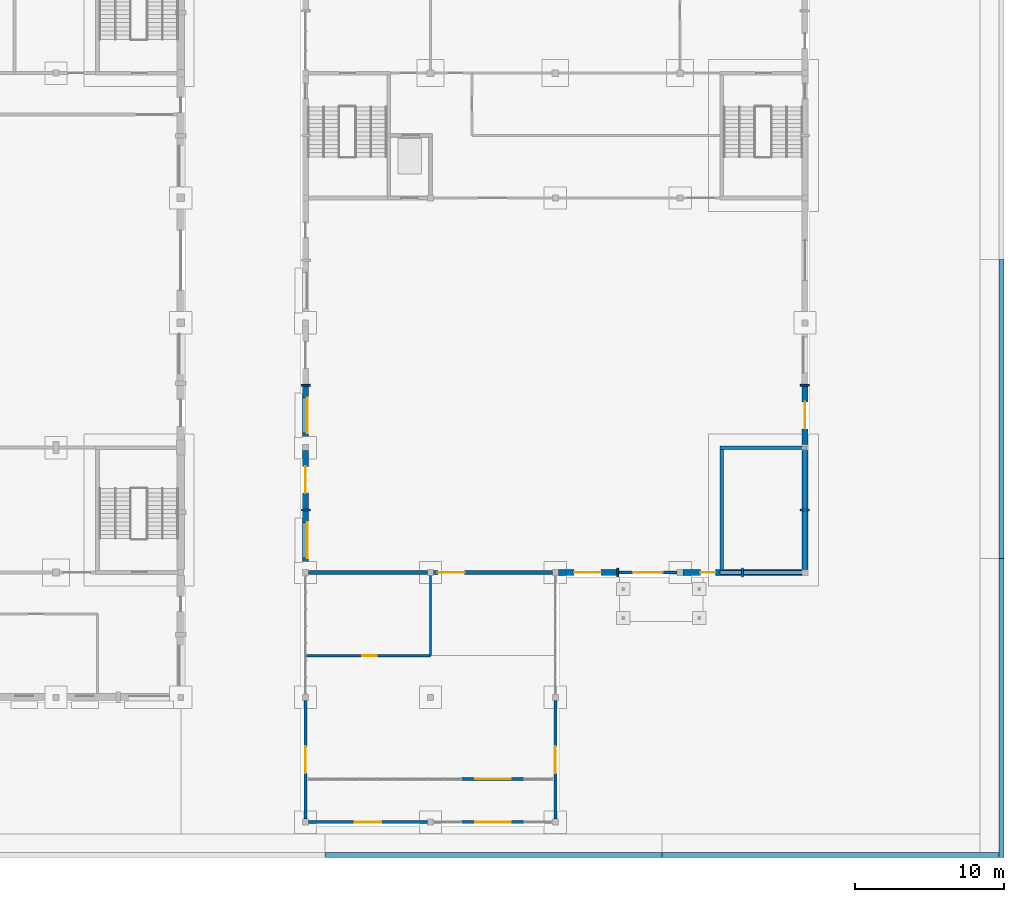
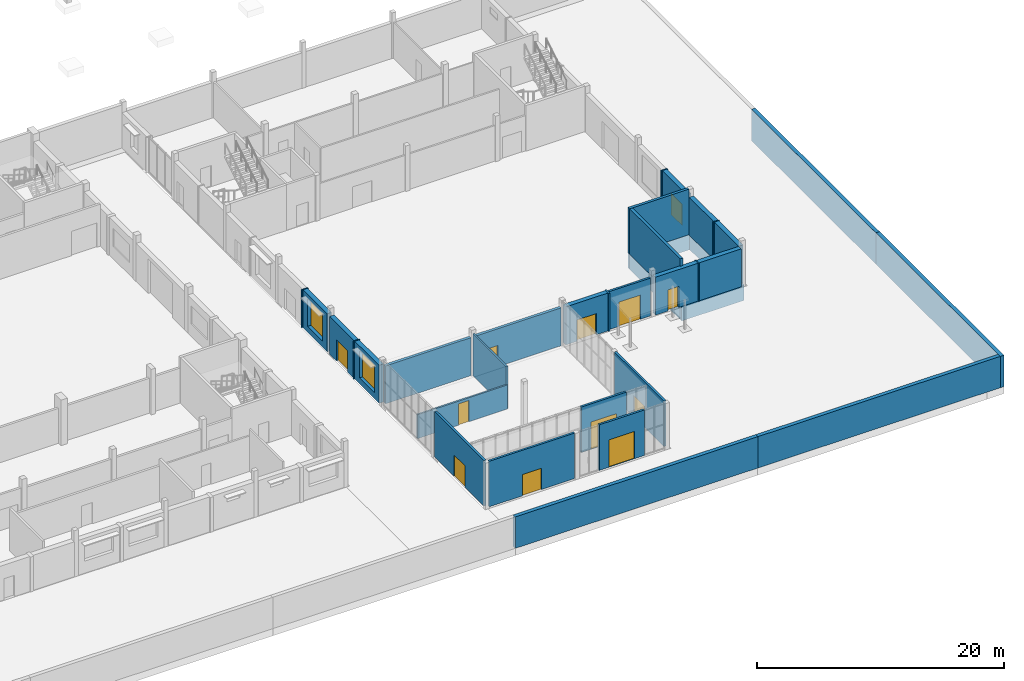
# One storey, part 25 of 36: 35 walls, 12 doors, 2 windows, 14 openings.
"""IFC4 building model written with IfcOpenShell, lengths in metres."""

from ifc_helpers import new_model, si_unit, direction, frame, frame_2d, origin, place, context, subcontext, project, spatial, rectangle, extrude, material, layer, layer_set, type_object, element, fill, save


model = new_model("IFC4")

# Units and contexts
model_context = context("Model", 3, precision=1e-05, world=origin(), true_north=direction((0.0, 1.0)))
body_context = subcontext(model_context, "Body", "Model", "MODEL_VIEW")
ifc_project = project(units=[si_unit("LENGTHUNIT", "METRE"), si_unit("AREAUNIT", "SQUARE_METRE"), si_unit("VOLUMEUNIT", "CUBIC_METRE"), si_unit("PLANEANGLEUNIT", "RADIAN"), si_unit("MASSUNIT", "GRAM", prefix="KILO")], contexts=[model_context])

# Site, building, storey
site_placement = place(None, origin())
site = spatial("IfcSite", under=ifc_project, at=site_placement, CompositionType="ELEMENT")
building_placement = place(site_placement, origin())
building = spatial("IfcBuilding", under=site, at=building_placement, Name="Fescue Hill Polytechnic", CompositionType="ELEMENT")
storey_placement = place(building_placement, origin())
storey = spatial("IfcBuildingStorey", under=building, at=storey_placement, Name="L00", CompositionType="ELEMENT", Elevation=0.0)

# Walls
ifc_material_1 = material(Name="Concrete 40 MPa", Category="concrete")
ifc_layer_1 = layer(ifc_material_1, 0.25)
ifc_layer_set_1 = layer_set([ifc_layer_1], Name="Concrete 40 MPa")
wall_type_1 = type_object("IfcWallType", Name="Core wall 250", PredefinedType="SHEAR", material=ifc_layer_set_1)
wall_1_placement = place(storey_placement, frame((153.875, 16.800048828125, 0.0), z_axis=(0.0, 0.0, 1.0), x_axis=(1.0, 0.0, 0.0)))
element("IfcWall", 1, at=wall_1_placement, inside=storey, type_object=wall_type_1, Name="CW-L00-ST-V3-3-21", PredefinedType="SHEAR", context=body_context, shape_type="SweptSolid", body=[
    extrude(rectangle(XDim=5.52490234375, YDim=0.25, at=frame_2d((2.762451171875, 0.0))), origin(), (0.0, 0.0, 1.0), 4.5),
])
wall_2_placement = place(storey_placement, frame((154.0, 8.52490234375, 0.0), z_axis=(0.0, 0.0, 1.0), x_axis=(0.0, 1.0, 0.0)))
element("IfcWall", 2, at=wall_2_placement, inside=storey, type_object=wall_type_1, Name="CW-L00-ST-V3-3-31", PredefinedType="SHEAR", context=body_context, shape_type="SweptSolid", body=[
    extrude(rectangle(XDim=8.150146484375, YDim=0.25, at=frame_2d((4.0751953125, 0.0))), origin(), (0.0, 0.0, 1.0), 4.5),
])
for number, where, z_axis, x_axis, name in (
    (3, (153.875, 8.39990234375, -1.5), (0.0, 0.0, 1.0), (1.0, 0.0, 0.0), "FW-ST-V3-3-1"),
    (4, (153.875, 16.800048828125, -1.5), (0.0, 0.0, 1.0), (1.0, 0.0, 0.0), "FW-ST-V3-3-2"),
):
    element("IfcWall", number, at=place(storey_placement, frame(where, z_axis=z_axis, x_axis=x_axis)), inside=storey, type_object=wall_type_1, Name=name, PredefinedType="SHEAR", context=body_context, shape_type="SweptSolid", body=[
        extrude(rectangle(XDim=5.85009765625, YDim=0.25, at=frame_2d((2.925048828125, 0.0))), origin(), (0.0, 0.0, 1.0), 1.5),
    ])
for number, where, z_axis, x_axis, name in (
    (5, (154.0, 8.52490234375, -1.5), (0.0, 0.0, 1.0), (0.0, 1.0, 0.0), "FW-ST-V3-3-3"),
    (6, (159.60009765625, 8.52490234375, -1.5), (0.0, 0.0, 1.0), (0.0, 1.0, 0.0), "FW-ST-V3-3-4"),
):
    element("IfcWall", number, at=place(storey_placement, frame(where, z_axis=z_axis, x_axis=x_axis)), inside=storey, type_object=wall_type_1, Name=name, PredefinedType="SHEAR", context=body_context, shape_type="SweptSolid", body=[
        extrude(rectangle(XDim=8.150146484375, YDim=0.25, at=frame_2d((4.0751953125, 0.0))), origin(), (0.0, 0.0, 1.0), 1.5),
    ])

# Wall, opening, door
ifc_material_2 = material(Name="Glass", Category="glass")
ifc_layer_2 = layer(ifc_material_2, 0.199951171875)
ifc_layer_set_2 = layer_set([ifc_layer_2], Name="Glass")
wall_type_2 = type_object("IfcWallType", Name="Entrance frame wall metal and glass 200", PredefinedType="SOLIDWALL", material=ifc_layer_set_2)
wall_3_placement = place(storey_placement, frame((142.800048828125, -8.199951171875, 0.0), z_axis=(0.0, 0.0, 1.0), x_axis=(0.0, 1.0, 0.0)))
wall_3 = element("IfcWall", 7, at=wall_3_placement, inside=storey, type_object=wall_type_2, Name="EW-L00-V7-1", PredefinedType="SOLIDWALL", context=body_context, shape_type="SweptSolid", body=[
    extrude(rectangle(XDim=8.0, YDim=0.199951171875, at=frame_2d((4.0, 0.0))), origin(), (0.0, 0.0, 1.0), 4.5),
])
opening_1_placement = place(wall_3_placement, frame((3.10009765625, 0.0, 0.0)))
opening_1 = element("IfcOpeningElement", 8, at=opening_1_placement, cuts=wall_3, Name="Opening D0021", PredefinedType="OPENING", context=body_context, shape_type="SweptSolid", body=[
    extrude(rectangle(XDim=1.800048828125, YDim=2.10009765625, at=frame_2d((0.89990234375, 1.050048828125))), frame((0.0, 0.10986328125, 0.0), z_axis=(0.0, -1.0, 0.0), x_axis=(1.0, 0.0, 0.0)), (0.0, 0.0, 1.0), 0.219970703125),
])
ifc_material_3 = material(Name="Aluminium and glass", Category="aluminium")
door_type_1 = type_object("IfcDoorType", Name="Door exit double 1800x2100 glazed", OperationType="DOUBLE_DOOR_SINGLE_SWING", PredefinedType="DOOR", material=ifc_material_3)
door_1_placement = place(opening_1_placement, origin())
door_1 = element("IfcDoor", 9, at=door_1_placement, inside=storey, type_object=door_type_1, Name="Door D0021", OperationType="SINGLE_SWING_LEFT", OverallHeight=2.10009765625, OverallWidth=1.800048828125, PredefinedType="DOOR", context=body_context, shape_type="SweptSolid", body=[
    extrude(rectangle(XDim=1.800048828125, YDim=2.10009765625, at=frame_2d((0.89990234375, 1.050048828125))), frame((0.0, 0.02490234375, 0.0), z_axis=(0.0, -1.0, 0.0), x_axis=(1.0, 0.0, 0.0)), (0.0, 0.0, 1.0), 0.050048828125),
])
fill(opening_1, door_1)

wall_4_placement = place(storey_placement, frame((126.0, -0.199951171875, 0.0), z_axis=(0.0, 0.0, 1.0), x_axis=(0.0, -1.0, 0.0)))
wall_4 = element("IfcWall", 10, at=wall_4_placement, inside=storey, type_object=wall_type_2, Name="EW-L00-V7-2", PredefinedType="SOLIDWALL", context=body_context, shape_type="SweptSolid", body=[
    extrude(rectangle(XDim=8.0, YDim=0.199951171875, at=frame_2d((4.0, 0.0))), origin(), (0.0, 0.0, 1.0), 4.5),
])
opening_2_placement = place(wall_4_placement, frame((3.10009765625, 0.0, 0.0)))
opening_2 = element("IfcOpeningElement", 11, at=opening_2_placement, cuts=wall_4, Name="Opening D0022", PredefinedType="OPENING", context=body_context, shape_type="SweptSolid", body=[
    extrude(rectangle(XDim=1.800048828125, YDim=2.10009765625, at=frame_2d((0.89990234375, 1.050048828125))), frame((0.0, 0.10986328125, 0.0), z_axis=(0.0, -1.0, 0.0), x_axis=(1.0, 0.0, 0.0)), (0.0, 0.0, 1.0), 0.219970703125),
])
door_2_placement = place(opening_2_placement, origin())
door_2 = element("IfcDoor", 12, at=door_2_placement, inside=storey, type_object=door_type_1, Name="Door D0022", OperationType="SINGLE_SWING_LEFT", OverallHeight=2.10009765625, OverallWidth=1.800048828125, PredefinedType="DOOR", context=body_context, shape_type="SweptSolid", body=[
    extrude(rectangle(XDim=1.800048828125, YDim=2.10009765625, at=frame_2d((0.89990234375, 1.050048828125))), frame((0.0, 0.02490234375, 0.0), z_axis=(0.0, -1.0, 0.0), x_axis=(1.0, 0.0, 0.0)), (0.0, 0.0, 1.0), 0.050048828125),
])
fill(opening_2, door_2)

wall_5_placement = place(storey_placement, frame((126.199951171875, -8.39990234375, 0.0), z_axis=(0.0, 0.0, 1.0), x_axis=(1.0, 0.0, 0.0)))
wall_5 = element("IfcWall", 13, at=wall_5_placement, inside=storey, type_object=wall_type_2, Name="EW-L00-V7-3", PredefinedType="SOLIDWALL", context=body_context, shape_type="SweptSolid", body=[
    extrude(rectangle(XDim=8.0, YDim=0.199951171875, at=frame_2d((4.0, 0.0))), origin(), (0.0, 0.0, 1.0), 4.5),
])
opening_3_placement = place(wall_5_placement, frame((3.10009765625, 0.0, 0.0)))
opening_3 = element("IfcOpeningElement", 14, at=opening_3_placement, cuts=wall_5, Name="Opening D0023", PredefinedType="OPENING", context=body_context, shape_type="SweptSolid", body=[
    extrude(rectangle(XDim=1.800048828125, YDim=2.10009765625, at=frame_2d((0.89990234375, 1.050048828125))), frame((0.0, 0.10986328125, 0.0), z_axis=(0.0, -1.0, 0.0), x_axis=(1.0, 0.0, 0.0)), (0.0, 0.0, 1.0), 0.219970703125),
])
door_3_placement = place(opening_3_placement, origin())
door_3 = element("IfcDoor", 15, at=door_3_placement, inside=storey, type_object=door_type_1, Name="Door D0023", OperationType="SINGLE_SWING_LEFT", OverallHeight=2.10009765625, OverallWidth=1.800048828125, PredefinedType="DOOR", context=body_context, shape_type="SweptSolid", body=[
    extrude(rectangle(XDim=1.800048828125, YDim=2.10009765625, at=frame_2d((0.89990234375, 1.050048828125))), frame((0.0, 0.02490234375, 0.0), z_axis=(0.0, -1.0, 0.0), x_axis=(1.0, 0.0, 0.0)), (0.0, 0.0, 1.0), 0.050048828125),
])
fill(opening_3, door_3)

wall_6_placement = place(storey_placement, frame((136.5, -8.39990234375, 0.0), z_axis=(0.0, 0.0, 1.0), x_axis=(1.0, 0.0, 0.0)))
wall_6 = element("IfcWall", 16, at=wall_6_placement, inside=storey, type_object=wall_type_2, Name="EW-L00-V7-4", PredefinedType="SOLIDWALL", context=body_context, shape_type="SweptSolid", body=[
    extrude(rectangle(XDim=4.199951171875, YDim=0.199951171875, at=frame_2d((2.10009765625, 0.0))), origin(), (0.0, 0.0, 1.0), 4.5),
])
opening_4_placement = place(wall_6_placement, frame((0.89990234375, 0.0, 0.0)))
opening_4 = element("IfcOpeningElement", 17, at=opening_4_placement, cuts=wall_6, Name="Opening D0024", PredefinedType="OPENING", context=body_context, shape_type="SweptSolid", body=[
    extrude(rectangle(XDim=2.39990234375, YDim=2.699951171875, at=frame_2d((1.199951171875, 1.35009765625))), frame((0.0, 0.10986328125, 0.0), z_axis=(0.0, -1.0, 0.0), x_axis=(1.0, 0.0, 0.0)), (0.0, 0.0, 1.0), 0.219970703125),
])
door_type_2 = type_object("IfcDoorType", Name="Door entrance glazed double 2400x2700", OperationType="DOUBLE_DOOR_SINGLE_SWING", PredefinedType="DOOR", material=ifc_material_3)
door_4_placement = place(opening_4_placement, origin())
door_4 = element("IfcDoor", 18, at=door_4_placement, inside=storey, type_object=door_type_2, Name="Door D0024", OperationType="SINGLE_SWING_LEFT", OverallHeight=2.699951171875, OverallWidth=2.39990234375, PredefinedType="DOOR", context=body_context, shape_type="SweptSolid", body=[
    extrude(rectangle(XDim=2.39990234375, YDim=2.699951171875, at=frame_2d((1.199951171875, 1.35009765625))), frame((0.0, 0.02490234375, 0.0), z_axis=(0.0, -1.0, 0.0), x_axis=(1.0, 0.0, 0.0)), (0.0, 0.0, 1.0), 0.050048828125),
])
fill(opening_4, door_4)

wall_7_placement = place(storey_placement, frame((147.06005859375, 8.39990234375, 0.0), z_axis=(0.0, 0.0, 1.0), x_axis=(1.0, 0.0, 0.0)))
wall_7 = element("IfcWall", 19, at=wall_7_placement, inside=storey, type_object=wall_type_2, Name="EW-L00-V3-X1", PredefinedType="SOLIDWALL", context=body_context, shape_type="SweptSolid", body=[
    extrude(rectangle(XDim=3.93994140625, YDim=0.199951171875, at=frame_2d((1.969970703125, 0.0))), origin(), (0.0, 0.0, 1.0), 3.75),
])
opening_5_placement = place(wall_7_placement, frame((0.969970703125, 0.0, 0.0)))
opening_5 = element("IfcOpeningElement", 20, at=opening_5_placement, cuts=wall_7, Name="Opening D0025", PredefinedType="OPENING", context=body_context, shape_type="SweptSolid", body=[
    extrude(rectangle(XDim=2.0, YDim=2.39990234375, at=frame_2d((1.0, 1.199951171875))), frame((0.0, 0.10986328125, 0.0), z_axis=(0.0, -1.0, 0.0), x_axis=(1.0, 0.0, 0.0)), (0.0, 0.0, 1.0), 0.219970703125),
])
door_type_3 = type_object("IfcDoorType", Name="Door entrance glazed double 2000x2400", OperationType="DOUBLE_DOOR_SINGLE_SWING", PredefinedType="DOOR", material=ifc_material_3)
door_5_placement = place(opening_5_placement, origin())
door_5 = element("IfcDoor", 21, at=door_5_placement, inside=storey, type_object=door_type_3, Name="Door D0025", OperationType="SINGLE_SWING_LEFT", OverallHeight=2.39990234375, OverallWidth=2.0, PredefinedType="DOOR", context=body_context, shape_type="SweptSolid", body=[
    extrude(rectangle(XDim=2.0, YDim=2.39990234375, at=frame_2d((1.0, 1.199951171875))), frame((0.0, 0.02490234375, 0.0), z_axis=(0.0, -1.0, 0.0), x_axis=(1.0, 0.0, 0.0)), (0.0, 0.0, 1.0), 0.050048828125),
])
fill(opening_5, door_5)

ifc_material_4 = material(Name="Clay brick masonry", Category="masonry")
ifc_layer_3 = layer(ifc_material_4, 0.419921875)
ifc_layer_set_3 = layer_set([ifc_layer_3], Name="Clay brick masonry")
wall_type_3 = type_object("IfcWallType", Name="Exterior wall buff-red brick cavity 420", PredefinedType="SOLIDWALL", material=ifc_layer_set_3)
wall_8_placement = place(storey_placement, frame((159.60009765625, 17.0, 0.0), z_axis=(0.0, 0.0, 1.0), x_axis=(0.0, 1.0, 0.0)))
wall_8 = element("IfcWall", 22, at=wall_8_placement, inside=storey, type_object=wall_type_3, Name="EW-L00-V3-3", PredefinedType="SOLIDWALL", context=body_context, shape_type="SweptSolid", body=[
    extrude(rectangle(XDim=3.93994140625, YDim=0.419921875, at=frame_2d((1.969970703125, 0.0))), origin(), (0.0, 0.0, 1.0), 3.75),
])
opening_6_placement = place(wall_8_placement, frame((1.070068359375, 0.0, 0.0)))
opening_6 = element("IfcOpeningElement", 23, at=opening_6_placement, cuts=wall_8, Name="Opening D0013", PredefinedType="OPENING", context=body_context, shape_type="SweptSolid", body=[
    extrude(rectangle(XDim=1.800048828125, YDim=2.10009765625, at=frame_2d((0.89990234375, 1.050048828125))), frame((0.0, 0.219970703125, 0.0), z_axis=(0.0, -1.0, 0.0), x_axis=(1.0, 0.0, 0.0)), (0.0, 0.0, 1.0), 0.43994140625),
])
ifc_material_5 = material(Name="Hollow metal")
door_type_4 = type_object("IfcDoorType", Name="Door exit double 1800x2100 fire rated", OperationType="DOUBLE_DOOR_SINGLE_SWING", PredefinedType="DOOR", material=ifc_material_5)
door_6_placement = place(opening_6_placement, origin())
door_6 = element("IfcDoor", 24, at=door_6_placement, inside=storey, type_object=door_type_4, Name="Door D0013", OperationType="SINGLE_SWING_LEFT", OverallHeight=2.10009765625, OverallWidth=1.800048828125, PredefinedType="DOOR", context=body_context, shape_type="SweptSolid", body=[
    extrude(rectangle(XDim=1.800048828125, YDim=2.10009765625, at=frame_2d((0.89990234375, 1.050048828125))), frame((0.0, 0.02490234375, 0.0), z_axis=(0.0, -1.0, 0.0), x_axis=(1.0, 0.0, 0.0)), (0.0, 0.0, 1.0), 0.050048828125),
])
fill(opening_6, door_6)

# Wall, opening, window
wall_9_placement = place(storey_placement, frame((126.0, 20.93994140625, 0.0), z_axis=(0.0, 0.0, 1.0), x_axis=(0.0, -1.0, 0.0)))
wall_9 = element("IfcWall", 25, at=wall_9_placement, inside=storey, type_object=wall_type_3, Name="EW-L00-V3-17", PredefinedType="SOLIDWALL", context=body_context, shape_type="SweptSolid", body=[
    extrude(rectangle(XDim=3.93994140625, YDim=0.419921875, at=frame_2d((1.969970703125, 0.0))), origin(), (0.0, 0.0, 1.0), 3.75),
])
opening_7_placement = place(wall_9_placement, frame((0.77001953125, 0.0, 0.60009765625)))
opening_7 = element("IfcOpeningElement", 26, at=opening_7_placement, cuts=wall_9, Name="Opening W14", PredefinedType="OPENING", context=body_context, shape_type="SweptSolid", body=[
    extrude(rectangle(XDim=2.39990234375, YDim=2.699951171875, at=frame_2d((1.199951171875, 1.35009765625))), frame((0.0, 0.219970703125, 0.0), z_axis=(0.0, -1.0, 0.0), x_axis=(1.0, 0.0, 0.0)), (0.0, 0.0, 1.0), 0.43994140625),
])
ifc_material_6 = material(Name="Powder-coated aluminium and glass", Category="aluminium")
window_type = type_object("IfcWindowType", Name="Window refectory tall 2400x2700", PartitioningType="TRIPLE_PANEL_VERTICAL", PredefinedType="WINDOW", material=ifc_material_6)
window_1_placement = place(opening_7_placement, origin())
window_1 = element("IfcWindow", 27, at=window_1_placement, inside=storey, type_object=window_type, Name="WN-L00-V3-5", OverallHeight=2.699951171875, OverallWidth=2.39990234375, PartitioningType="SINGLE_PANEL", PredefinedType="WINDOW", context=body_context, shape_type="SweptSolid", body=[
    extrude(rectangle(XDim=2.39990234375, YDim=2.699951171875, at=frame_2d((1.199951171875, 1.35009765625))), frame((0.0, 0.150146484375, 0.0), z_axis=(0.0, -1.0, 0.0), x_axis=(1.0, 0.0, 0.0)), (0.0, 0.0, 1.0), 0.06005859375),
])
fill(opening_7, window_1)

# Wall, opening, door
wall_10_placement = place(storey_placement, frame((126.0, 16.60009765625, 0.0), z_axis=(0.0, 0.0, 1.0), x_axis=(0.0, -1.0, 0.0)))
wall_10 = element("IfcWall", 28, at=wall_10_placement, inside=storey, type_object=wall_type_3, Name="EW-L00-V3-18", PredefinedType="SOLIDWALL", context=body_context, shape_type="SweptSolid", body=[
    extrude(rectangle(XDim=3.940185546875, YDim=0.419921875, at=frame_2d((1.97021484375, 0.0))), origin(), (0.0, 0.0, 1.0), 3.75),
])
opening_8_placement = place(wall_10_placement, frame((1.070068359375, 0.0, 0.0)))
opening_8 = element("IfcOpeningElement", 29, at=opening_8_placement, cuts=wall_10, Name="Opening D0018", PredefinedType="OPENING", context=body_context, shape_type="SweptSolid", body=[
    extrude(rectangle(XDim=1.800048828125, YDim=2.10009765625, at=frame_2d((0.89990234375, 1.050048828125))), frame((0.0, 0.219970703125, 0.0), z_axis=(0.0, -1.0, 0.0), x_axis=(1.0, 0.0, 0.0)), (0.0, 0.0, 1.0), 0.43994140625),
])
door_7_placement = place(opening_8_placement, origin())
door_7 = element("IfcDoor", 30, at=door_7_placement, inside=storey, type_object=door_type_4, Name="Door D0018", OperationType="SINGLE_SWING_LEFT", OverallHeight=2.10009765625, OverallWidth=1.800048828125, PredefinedType="DOOR", context=body_context, shape_type="SweptSolid", body=[
    extrude(rectangle(XDim=1.800048828125, YDim=2.10009765625, at=frame_2d((0.89990234375, 1.050048828125))), frame((0.0, 0.02490234375, 0.0), z_axis=(0.0, -1.0, 0.0), x_axis=(1.0, 0.0, 0.0)), (0.0, 0.0, 1.0), 0.050048828125),
])
fill(opening_8, door_7)

# Wall, opening, window
wall_11_placement = place(storey_placement, frame((126.0, 12.5400390625, 0.0), z_axis=(0.0, 0.0, 1.0), x_axis=(0.0, -1.0, 0.0)))
wall_11 = element("IfcWall", 31, at=wall_11_placement, inside=storey, type_object=wall_type_3, Name="EW-L00-V3-19", PredefinedType="SOLIDWALL", context=body_context, shape_type="SweptSolid", body=[
    extrude(rectangle(XDim=3.93994140625, YDim=0.419921875, at=frame_2d((1.969970703125, 0.0))), origin(), (0.0, 0.0, 1.0), 3.75),
])
opening_9_placement = place(wall_11_placement, frame((0.77001953125, 0.0, 0.60009765625)))
opening_9 = element("IfcOpeningElement", 32, at=opening_9_placement, cuts=wall_11, Name="Opening W14", PredefinedType="OPENING", context=body_context, shape_type="SweptSolid", body=[
    extrude(rectangle(XDim=2.39990234375, YDim=2.699951171875, at=frame_2d((1.199951171875, 1.35009765625))), frame((0.0, 0.219970703125, 0.0), z_axis=(0.0, -1.0, 0.0), x_axis=(1.0, 0.0, 0.0)), (0.0, 0.0, 1.0), 0.43994140625),
])
window_2_placement = place(opening_9_placement, origin())
window_2 = element("IfcWindow", 33, at=window_2_placement, inside=storey, type_object=window_type, Name="WN-L00-V3-6", OverallHeight=2.699951171875, OverallWidth=2.39990234375, PartitioningType="SINGLE_PANEL", PredefinedType="WINDOW", context=body_context, shape_type="SweptSolid", body=[
    extrude(rectangle(XDim=2.39990234375, YDim=2.699951171875, at=frame_2d((1.199951171875, 1.35009765625))), frame((0.0, 0.150146484375, 0.0), z_axis=(0.0, -1.0, 0.0), x_axis=(1.0, 0.0, 0.0)), (0.0, 0.0, 1.0), 0.06005859375),
])
fill(opening_9, window_2)

# Wall, opening, door
wall_12_placement = place(storey_placement, frame((143.0, 8.39990234375, 0.0), z_axis=(0.0, 0.0, 1.0), x_axis=(1.0, 0.0, 0.0)))
wall_12 = element("IfcWall", 34, at=wall_12_placement, inside=storey, type_object=wall_type_3, Name="EW-L00-V3-20", PredefinedType="SOLIDWALL", context=body_context, shape_type="SweptSolid", body=[
    extrude(rectangle(XDim=3.93994140625, YDim=0.419921875, at=frame_2d((1.969970703125, 0.0))), origin(), (0.0, 0.0, 1.0), 3.75),
])
opening_10_placement = place(wall_12_placement, frame((1.070068359375, 0.0, 0.0)))
opening_10 = element("IfcOpeningElement", 35, at=opening_10_placement, cuts=wall_12, Name="Opening D0019", PredefinedType="OPENING", context=body_context, shape_type="SweptSolid", body=[
    extrude(rectangle(XDim=1.800048828125, YDim=2.10009765625, at=frame_2d((0.89990234375, 1.050048828125))), frame((0.0, 0.219970703125, 0.0), z_axis=(0.0, -1.0, 0.0), x_axis=(1.0, 0.0, 0.0)), (0.0, 0.0, 1.0), 0.43994140625),
])
door_8_placement = place(opening_10_placement, origin())
door_8 = element("IfcDoor", 36, at=door_8_placement, inside=storey, type_object=door_type_4, Name="Door D0019", OperationType="SINGLE_SWING_LEFT", OverallHeight=2.10009765625, OverallWidth=1.800048828125, PredefinedType="DOOR", context=body_context, shape_type="SweptSolid", body=[
    extrude(rectangle(XDim=1.800048828125, YDim=2.10009765625, at=frame_2d((0.89990234375, 1.050048828125))), frame((0.0, 0.02490234375, 0.0), z_axis=(0.0, -1.0, 0.0), x_axis=(1.0, 0.0, 0.0)), (0.0, 0.0, 1.0), 0.050048828125),
])
fill(opening_10, door_8)

# Walls
ifc_layer_4 = layer(ifc_material_4, 0.419921875)
ifc_layer_set_4 = layer_set([ifc_layer_4], Name="Clay brick masonry")
wall_type_4 = type_object("IfcWallType", Name="Exterior wall buff-red brick cavity 420 load-bearing", PredefinedType="SOLIDWALL", material=ifc_layer_set_4)
wall_13_placement = place(storey_placement, frame((159.60009765625, 8.60009765625, 0.0), z_axis=(0.0, 0.0, 1.0), x_axis=(0.0, 1.0, 0.0)))
element("IfcWall", 37, at=wall_13_placement, inside=storey, type_object=wall_type_4, Name="EW-L00-V3-1", PredefinedType="SOLIDWALL", context=body_context, shape_type="SweptSolid", body=[
    extrude(rectangle(XDim=3.93994140625, YDim=0.419921875, at=frame_2d((1.969970703125, 0.0))), origin(), (0.0, 0.0, 1.0), 3.75),
])
wall_14_placement = place(storey_placement, frame((159.60009765625, 12.659912109375, 0.0), z_axis=(0.0, 0.0, 1.0), x_axis=(0.0, 1.0, 0.0)))
element("IfcWall", 38, at=wall_14_placement, inside=storey, type_object=wall_type_4, Name="EW-L00-V3-2", PredefinedType="SOLIDWALL", context=body_context, shape_type="SweptSolid", body=[
    extrude(rectangle(XDim=3.940185546875, YDim=0.419921875, at=frame_2d((1.97021484375, 0.0))), origin(), (0.0, 0.0, 1.0), 3.75),
])

# Wall, opening, door
wall_15_placement = place(storey_placement, frame((151.39990234375, 8.39990234375, 0.0), z_axis=(0.0, 0.0, 1.0), x_axis=(1.0, 0.0, 0.0)))
wall_15 = element("IfcWall", 39, at=wall_15_placement, inside=storey, type_object=wall_type_4, Name="EW-L00-V3-21", PredefinedType="SOLIDWALL", context=body_context, shape_type="SweptSolid", body=[
    extrude(rectangle(XDim=3.940185546875, YDim=0.419921875, at=frame_2d((1.97021484375, 0.0))), origin(), (0.0, 0.0, 1.0), 3.75),
])
opening_11_placement = place(wall_15_placement, frame((1.169921875, 0.0, 0.0)))
opening_11 = element("IfcOpeningElement", 40, at=opening_11_placement, cuts=wall_15, Name="Opening D0020", PredefinedType="OPENING", context=body_context, shape_type="SweptSolid", body=[
    extrude(rectangle(XDim=1.0, YDim=2.10009765625, at=frame_2d((0.5, 1.050048828125))), frame((0.0, 0.219970703125, 0.0), z_axis=(0.0, -1.0, 0.0), x_axis=(1.0, 0.0, 0.0)), (0.0, 0.0, 1.0), 0.43994140625),
])
door_type_5 = type_object("IfcDoorType", Name="Door exit single 1000x2100 fire rated", OperationType="SINGLE_SWING_LEFT", PredefinedType="DOOR", material=ifc_material_5)
door_9_placement = place(opening_11_placement, origin())
door_9 = element("IfcDoor", 41, at=door_9_placement, inside=storey, type_object=door_type_5, Name="Door D0020", OperationType="SINGLE_SWING_LEFT", OverallHeight=2.10009765625, OverallWidth=1.0, PredefinedType="DOOR", context=body_context, shape_type="SweptSolid", body=[
    extrude(rectangle(XDim=1.0, YDim=2.10009765625, at=frame_2d((0.5, 1.050048828125))), frame((0.0, 0.02490234375, 0.0), z_axis=(0.0, -1.0, 0.0), x_axis=(1.0, 0.0, 0.0)), (0.0, 0.0, 1.0), 0.050048828125),
])
fill(opening_11, door_9)

# Wall
wall_16_placement = place(storey_placement, frame((155.4599609375, 8.39990234375, 0.0), z_axis=(0.0, 0.0, 1.0), x_axis=(1.0, 0.0, 0.0)))
element("IfcWall", 42, at=wall_16_placement, inside=storey, type_object=wall_type_4, Name="EW-L00-V3-22", PredefinedType="SOLIDWALL", context=body_context, shape_type="SweptSolid", body=[
    extrude(rectangle(XDim=3.93994140625, YDim=0.419921875, at=frame_2d((1.969970703125, 0.0))), origin(), (0.0, 0.0, 1.0), 3.75),
])

# Wall, opening, door
ifc_material_7 = material(Name="Gypsum board partition")
ifc_layer_5 = layer(ifc_material_7, 0.14990234375)
ifc_layer_set_5 = layer_set([ifc_layer_5], Name="Gypsum board partition")
wall_type_5 = type_object("IfcWallType", Name="Lobby wall 150 EI 60", PredefinedType="PARTITIONING", material=ifc_layer_set_5)
wall_17_placement = place(storey_placement, frame((126.0, 2.800048828125, 0.0), z_axis=(0.0, 0.0, 1.0), x_axis=(1.0, 0.0, 0.0)))
wall_17 = element("IfcWall", 43, at=wall_17_placement, inside=storey, type_object=wall_type_5, Name="IW-L00-001", PredefinedType="PARTITIONING", context=body_context, shape_type="SweptSolid", body=[
    extrude(rectangle(XDim=8.39990234375, YDim=0.14990234375, at=frame_2d((4.199951171875, 0.0))), origin(), (0.0, 0.0, 1.0), 2.3701171875),
])
opening_12_placement = place(wall_17_placement, frame((3.800048828125, 0.0, 0.0)))
opening_12 = element("IfcOpeningElement", 44, at=opening_12_placement, cuts=wall_17, Name="Opening D0069", PredefinedType="OPENING", context=body_context, shape_type="SweptSolid", body=[
    extrude(rectangle(XDim=1.0, YDim=2.10009765625, at=frame_2d((0.5, 1.050048828125))), frame((0.0, 0.0849609375, 0.0), z_axis=(0.0, -1.0, 0.0), x_axis=(1.0, 0.0, 0.0)), (0.0, 0.0, 1.0), 0.169921875),
])
ifc_material_8 = material(Name="Steel", Category="steel")
door_type_6 = type_object("IfcDoorType", Name="Door single swing 1000x2100 FD60", OperationType="SINGLE_SWING_LEFT", PredefinedType="DOOR", material=ifc_material_8)
door_10_placement = place(opening_12_placement, origin())
door_10 = element("IfcDoor", 45, at=door_10_placement, inside=storey, type_object=door_type_6, Name="Door D0069", OperationType="SINGLE_SWING_RIGHT", OverallHeight=2.10009765625, OverallWidth=1.0, PredefinedType="DOOR", context=body_context, shape_type="SweptSolid", body=[
    extrude(rectangle(XDim=1.0, YDim=2.10009765625, at=frame_2d((0.5, 1.050048828125))), frame((0.0, 0.02490234375, 0.0), z_axis=(0.0, -1.0, 0.0), x_axis=(1.0, 0.0, 0.0)), (0.0, 0.0, 1.0), 0.050048828125),
])
fill(opening_12, door_10)

# Walls
wall_18_placement = place(storey_placement, frame((134.39990234375, 2.800048828125, 0.0), z_axis=(0.0, 0.0, 1.0), x_axis=(0.0, 1.0, 0.0)))
element("IfcWall", 46, at=wall_18_placement, inside=storey, type_object=wall_type_5, Name="IW-L00-093", PredefinedType="PARTITIONING", context=body_context, shape_type="SweptSolid", body=[
    extrude(rectangle(XDim=5.39990234375, YDim=0.14990234375, at=frame_2d((2.699951171875, 0.0))), origin(), (0.0, 0.0, 1.0), 4.14990234375),
])
ifc_material_9 = material(Name="Concrete 35 MPa", Category="concrete")
ifc_layer_6 = layer(ifc_material_9, 0.25)
ifc_layer_set_6 = layer_set([ifc_layer_6], Name="Concrete 35 MPa")
wall_type_6 = type_object("IfcWallType", Name="Party wall 250 concrete EI 120", PredefinedType="SOLIDWALL", material=ifc_layer_set_6)
wall_19_placement = place(storey_placement, frame((126.199951171875, 8.39990234375, 0.0), z_axis=(0.0, 0.0, 1.0), x_axis=(1.0, 0.0, 0.0)))
element("IfcWall", 47, at=wall_19_placement, inside=storey, type_object=wall_type_6, Name="IW-L00-010", PredefinedType="SOLIDWALL", context=body_context, shape_type="SweptSolid", body=[
    extrude(rectangle(XDim=8.0, YDim=0.25, at=frame_2d((4.0, 0.0))), origin(), (0.0, 0.0, 1.0), 3.75),
])

# Wall, opening, door
wall_20_placement = place(storey_placement, frame((134.60009765625, 8.39990234375, 0.0), z_axis=(0.0, 0.0, 1.0), x_axis=(1.0, 0.0, 0.0)))
wall_20 = element("IfcWall", 48, at=wall_20_placement, inside=storey, type_object=wall_type_6, Name="IW-L00-011", PredefinedType="SOLIDWALL", context=body_context, shape_type="SweptSolid", body=[
    extrude(rectangle(XDim=8.0, YDim=0.25, at=frame_2d((4.0, 0.0))), origin(), (0.0, 0.0, 1.0), 3.75),
])
opening_13_placement = place(wall_20_placement, frame((0.300048828125, 0.0, 0.0)))
opening_13 = element("IfcOpeningElement", 49, at=opening_13_placement, cuts=wall_20, Name="Opening D0064", PredefinedType="OPENING", context=body_context, shape_type="SweptSolid", body=[
    extrude(rectangle(XDim=1.800048828125, YDim=2.10009765625, at=frame_2d((0.89990234375, 1.050048828125))), frame((0.0, 0.135009765625, 0.0), z_axis=(0.0, -1.0, 0.0), x_axis=(1.0, 0.0, 0.0)), (0.0, 0.0, 1.0), 0.27001953125),
])
door_type_7 = type_object("IfcDoorType", Name="Door double swing 1800x2100 FD90", OperationType="DOUBLE_DOOR_SINGLE_SWING", PredefinedType="DOOR", material=ifc_material_8)
door_11_placement = place(opening_13_placement, origin())
door_11 = element("IfcDoor", 50, at=door_11_placement, inside=storey, type_object=door_type_7, Name="Door D0064", OperationType="DOUBLE_DOOR_SINGLE_SWING", OverallHeight=2.10009765625, OverallWidth=1.800048828125, PredefinedType="DOOR", context=body_context, shape_type="SweptSolid", body=[
    extrude(rectangle(XDim=1.800048828125, YDim=2.10009765625, at=frame_2d((0.89990234375, 1.050048828125))), frame((0.0, 0.02490234375, 0.0), z_axis=(0.0, -1.0, 0.0), x_axis=(1.0, 0.0, 0.0)), (0.0, 0.0, 1.0), 0.050048828125),
])
fill(opening_13, door_11)

# Walls
ifc_layer_7 = layer(ifc_material_9, 0.35009765625)
ifc_layer_set_7 = layer_set([ifc_layer_7], Name="Concrete 35 MPa")
wall_type_7 = type_object("IfcWallType", Name="Retaining wall 350", PredefinedType="SOLIDWALL", material=ifc_layer_set_7)
wall_21_placement = place(storey_placement, frame((172.818115234375, -10.79296875, -3.10009765625), z_axis=(0.0, 0.0, 1.0), x_axis=(0.0, 1.0, 0.0)))
element("IfcWall", 51, at=wall_21_placement, inside=storey, type_object=wall_type_7, Name="RT-PW16", PredefinedType="SOLIDWALL", context=body_context, shape_type="SweptSolid", body=[
    extrude(rectangle(XDim=20.130859375, YDim=0.35009765625, at=frame_2d((10.0654296875, 0.0))), origin(), (0.0, 0.0, 1.0), 3.10009765625),
])
wall_22_placement = place(storey_placement, frame((172.818115234375, 9.337890625, -3.10009765625), z_axis=(0.0, 0.0, 1.0), x_axis=(0.0, 1.0, 0.0)))
element("IfcWall", 52, at=wall_22_placement, inside=storey, type_object=wall_type_7, Name="RT-PW17", PredefinedType="SOLIDWALL", context=body_context, shape_type="SweptSolid", body=[
    extrude(rectangle(XDim=20.131103515625, YDim=0.35009765625, at=frame_2d((10.0654296875, 0.0))), origin(), (0.0, 0.0, 1.0), 3.10009765625),
])
wall_23_placement = place(storey_placement, frame((127.321533203125, -10.617919921875, -3.10009765625), z_axis=(0.0, 0.0, 1.0), x_axis=(1.0, 0.0, 0.0)))
element("IfcWall", 53, at=wall_23_placement, inside=storey, type_object=wall_type_7, Name="RT-PW37", PredefinedType="SOLIDWALL", context=body_context, shape_type="SweptSolid", body=[
    extrude(rectangle(XDim=22.66064453125, YDim=0.35009765625, at=frame_2d((11.330322265625, 0.0))), origin(), (0.0, 0.0, 1.0), 3.10009765625),
])
wall_24_placement = place(storey_placement, frame((149.982177734375, -10.617919921875, -3.10009765625), z_axis=(0.0, 0.0, 1.0), x_axis=(1.0, 0.0, 0.0)))
element("IfcWall", 54, at=wall_24_placement, inside=storey, type_object=wall_type_7, Name="RT-PW38", PredefinedType="SOLIDWALL", context=body_context, shape_type="SweptSolid", body=[
    extrude(rectangle(XDim=22.660888671875, YDim=0.35009765625, at=frame_2d((11.33056640625, 0.0))), origin(), (0.0, 0.0, 1.0), 3.10009765625),
])
ifc_material_10 = material(Name="Glulam 24f-EX", Category="wood")
ifc_layer_8 = layer(ifc_material_10, 0.60009765625)
ifc_layer_set_8 = layer_set([ifc_layer_8], Name="Glulam 24f-EX")
wall_type_8 = type_object("IfcWallType", Name="Timber fin 120x600", PredefinedType="SOLIDWALL", material=ifc_layer_set_8)
wall_25_placement = place(storey_placement, frame((159.60009765625, 12.5400390625, 0.0), z_axis=(0.0, 0.0, 1.0), x_axis=(0.0, 1.0, 0.0)))
element("IfcWall", 55, at=wall_25_placement, inside=storey, type_object=wall_type_8, Name="PR-L00-V3-1", PredefinedType="SOLIDWALL", context=body_context, shape_type="SweptSolid", body=[
    extrude(rectangle(XDim=0.119873046875, YDim=0.60009765625, at=frame_2d((0.06005859375, 0.0))), origin(), (0.0, 0.0, 1.0), 3.75),
])
for number, where, z_axis, x_axis, name in (
    (56, (159.60009765625, 20.93994140625, 0.0), (0.0, 0.0, 1.0), (0.0, 1.0, 0.0), "PR-L00-V3-2"),
    (57, (126.0, 21.06005859375, 0.0), (0.0, 0.0, 1.0), (0.0, -1.0, 0.0), "PR-L00-V3-8"),
):
    element("IfcWall", number, at=place(storey_placement, frame(where, z_axis=z_axis, x_axis=x_axis)), inside=storey, type_object=wall_type_8, Name=name, PredefinedType="SOLIDWALL", context=body_context, shape_type="SweptSolid", body=[
        extrude(rectangle(XDim=0.1201171875, YDim=0.60009765625, at=frame_2d((0.06005859375, 0.0))), origin(), (0.0, 0.0, 1.0), 3.75),
    ])
wall_26_placement = place(storey_placement, frame((126.0, 12.659912109375, 0.0), z_axis=(0.0, 0.0, 1.0), x_axis=(0.0, -1.0, 0.0)))
element("IfcWall", 58, at=wall_26_placement, inside=storey, type_object=wall_type_8, Name="PR-L00-V3-9", PredefinedType="SOLIDWALL", context=body_context, shape_type="SweptSolid", body=[
    extrude(rectangle(XDim=0.119873046875, YDim=0.60009765625, at=frame_2d((0.06005859375, 0.0))), origin(), (0.0, 0.0, 1.0), 3.75),
])
wall_27_placement = place(storey_placement, frame((146.93994140625, 8.39990234375, 0.0), z_axis=(0.0, 0.0, 1.0), x_axis=(1.0, 0.0, 0.0)))
element("IfcWall", 59, at=wall_27_placement, inside=storey, type_object=wall_type_8, Name="PR-L00-V3-10", PredefinedType="SOLIDWALL", context=body_context, shape_type="SweptSolid", body=[
    extrude(rectangle(XDim=0.1201171875, YDim=0.60009765625, at=frame_2d((0.06005859375, 0.0))), origin(), (0.0, 0.0, 1.0), 3.75),
])
wall_28_placement = place(storey_placement, frame((155.340087890625, 8.39990234375, 0.0), z_axis=(0.0, 0.0, 1.0), x_axis=(1.0, 0.0, 0.0)))
element("IfcWall", 60, at=wall_28_placement, inside=storey, type_object=wall_type_8, Name="PR-L00-V3-11", PredefinedType="SOLIDWALL", context=body_context, shape_type="SweptSolid", body=[
    extrude(rectangle(XDim=0.119873046875, YDim=0.60009765625, at=frame_2d((0.06005859375, 0.0))), origin(), (0.0, 0.0, 1.0), 3.75),
])

# Wall, opening, door
ifc_layer_9 = layer(ifc_material_2, 0.199951171875)
ifc_layer_set_9 = layer_set([ifc_layer_9], Name="Glass")
wall_type_9 = type_object("IfcWallType", Name="Vestibule frame wall metal and glass 200", PredefinedType="SOLIDWALL", material=ifc_layer_set_9)
wall_29_placement = place(storey_placement, frame((136.5, -5.5, 0.0), z_axis=(0.0, 0.0, 1.0), x_axis=(1.0, 0.0, 0.0)))
wall_29 = element("IfcWall", 61, at=wall_29_placement, inside=storey, type_object=wall_type_9, Name="EW-L00-V7-X1", PredefinedType="SOLIDWALL", context=body_context, shape_type="SweptSolid", body=[
    extrude(rectangle(XDim=4.199951171875, YDim=0.199951171875, at=frame_2d((2.10009765625, 0.0))), origin(), (0.0, 0.0, 1.0), 4.5),
])
opening_14_placement = place(wall_29_placement, frame((0.89990234375, 0.0, 0.0)))
opening_14 = element("IfcOpeningElement", 62, at=opening_14_placement, cuts=wall_29, Name="Opening D0026", PredefinedType="OPENING", context=body_context, shape_type="SweptSolid", body=[
    extrude(rectangle(XDim=2.39990234375, YDim=2.699951171875, at=frame_2d((1.199951171875, 1.35009765625))), frame((0.0, 0.10986328125, 0.0), z_axis=(0.0, -1.0, 0.0), x_axis=(1.0, 0.0, 0.0)), (0.0, 0.0, 1.0), 0.219970703125),
])
door_type_8 = type_object("IfcDoorType", Name="Door vestibule glazed double 2400x2700", OperationType="DOUBLE_DOOR_SINGLE_SWING", PredefinedType="DOOR", material=ifc_material_3)
door_12_placement = place(opening_14_placement, origin())
door_12 = element("IfcDoor", 63, at=door_12_placement, inside=storey, type_object=door_type_8, Name="Door D0026", OperationType="SINGLE_SWING_LEFT", OverallHeight=2.699951171875, OverallWidth=2.39990234375, PredefinedType="DOOR", context=body_context, shape_type="SweptSolid", body=[
    extrude(rectangle(XDim=2.39990234375, YDim=2.699951171875, at=frame_2d((1.199951171875, 1.35009765625))), frame((0.0, 0.02490234375, 0.0), z_axis=(0.0, -1.0, 0.0), x_axis=(1.0, 0.0, 0.0)), (0.0, 0.0, 1.0), 0.050048828125),
])
fill(opening_14, door_12)

save(model, "model.ifc")
